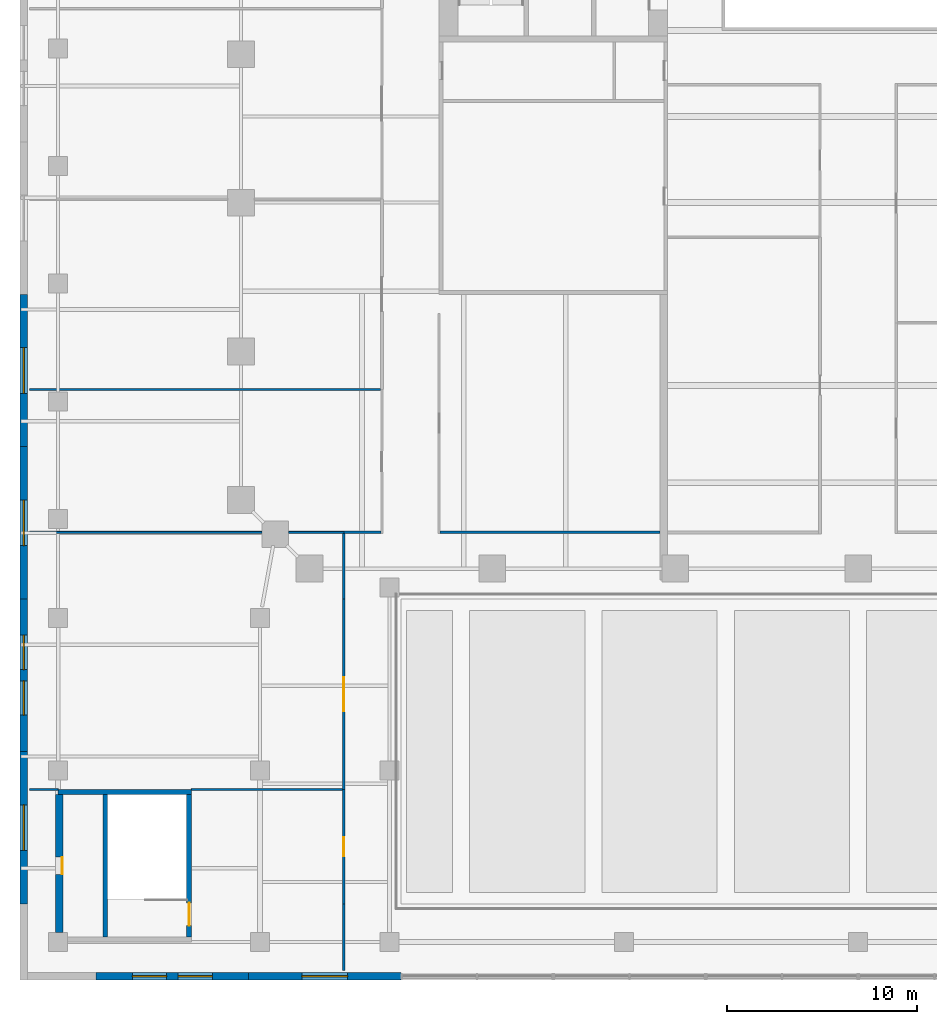
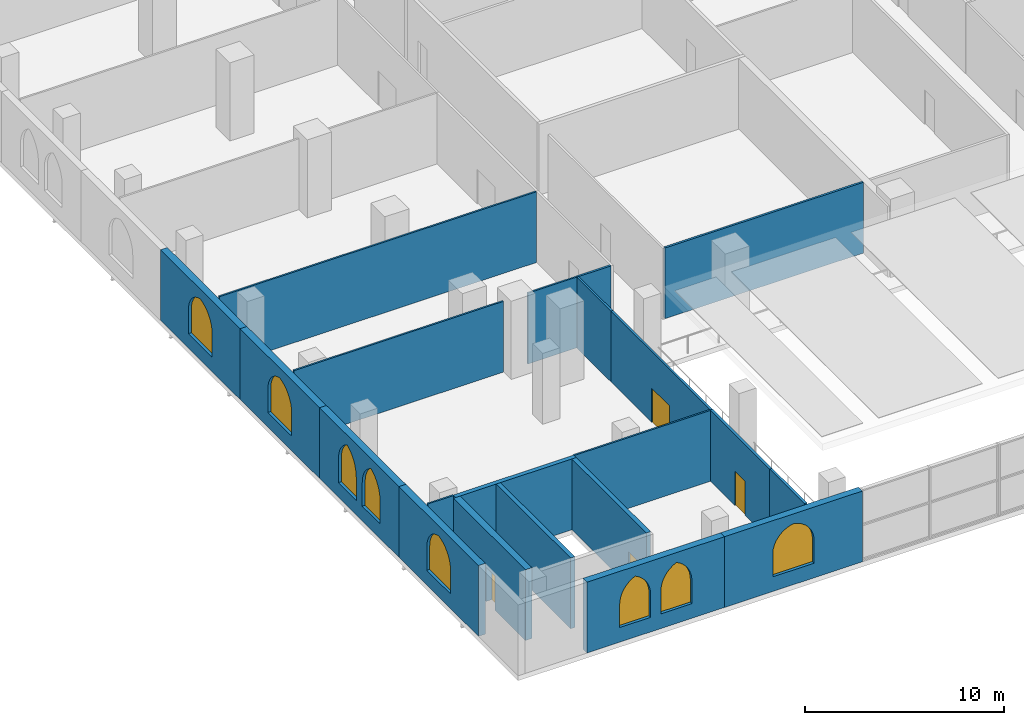
# One storey, part 8 of 18: 21 walls, 8 windows, 4 doors, 12 openings.
"""IFC4 building model written with IfcOpenShell, lengths in metres."""

from ifc_helpers import new_model, si_unit, direction, frame, frame_2d, origin, place, context, subcontext, project, spatial, polyline, rectangle, outline, extrude, material, layer, layer_set, type_object, element, fill, save


model = new_model("IFC4")

# Units and contexts
model_context = context("Model", 3, precision=1e-05, world=origin(), true_north=direction((0.0, 1.0)))
body_context = subcontext(model_context, "Body", "Model", "MODEL_VIEW")
ifc_project = project(units=[si_unit("LENGTHUNIT", "METRE"), si_unit("AREAUNIT", "SQUARE_METRE"), si_unit("VOLUMEUNIT", "CUBIC_METRE"), si_unit("PLANEANGLEUNIT", "RADIAN"), si_unit("MASSUNIT", "GRAM", prefix="KILO")], contexts=[model_context])

# Site, building, storey
site_placement = place(None, origin())
site = spatial("IfcSite", under=ifc_project, at=site_placement, CompositionType="ELEMENT")
building_placement = place(site_placement, origin())
building = spatial("IfcBuilding", under=site, at=building_placement, Name="Ogive Exchange Tower", CompositionType="ELEMENT")
storey_placement = place(building_placement, frame((0.0, 0.0, 28.800048828125)))
storey = spatial("IfcBuildingStorey", under=building, at=storey_placement, Name="L05", CompositionType="ELEMENT", Elevation=28.800048828125)

# Wall
ifc_material_1 = material(Name="Fire partition EI 60 150")
ifc_layer_1 = layer(ifc_material_1, 0.14990234375)
ifc_layer_set_1 = layer_set([ifc_layer_1], Name="Fire partition EI 60 150")
wall_type_1 = type_object("IfcWallType", Name="Fire partition EI 60 150", PredefinedType="PARTITIONING", material=ifc_layer_set_1)
wall_1_placement = place(storey_placement, frame((-27.0, -51.5, 0.0), z_axis=(0.0, 0.0, 1.0), x_axis=(0.0, 1.0, 0.0)))
element("IfcWall", 1, at=wall_1_placement, inside=storey, type_object=wall_type_1, Name="L05-PWL-041", PredefinedType="PARTITIONING", context=body_context, shape_type="SweptSolid", body=[
    extrude(rectangle(XDim=3.5, YDim=0.14990234375, at=frame_2d((1.75, 0.0))), origin(), (0.0, 0.0, 1.0), 4.349853515625),
])

# Wall, opening, door
wall_2_placement = place(storey_placement, frame((-27.0, -48.0, 0.0), z_axis=(0.0, 0.0, 1.0), x_axis=(0.0, 1.0, 0.0)))
wall_2 = element("IfcWall", 2, at=wall_2_placement, inside=storey, type_object=wall_type_1, Name="L05-PWL-042", PredefinedType="PARTITIONING", context=body_context, shape_type="SweptSolid", body=[
    extrude(rectangle(XDim=6.0, YDim=0.14990234375, at=frame_2d((3.0, 0.0))), origin(), (0.0, 0.0, 1.0), 4.349853515625),
])
opening_1_placement = place(wall_2_placement, frame((2.5, 0.0, 0.0)))
opening_1 = element("IfcOpeningElement", 3, at=opening_1_placement, cuts=wall_2, Name="Opening L05-I14", PredefinedType="OPENING", context=body_context, shape_type="SweptSolid", body=[
    extrude(rectangle(XDim=1.0, YDim=2.10009765625, at=frame_2d((0.5, 1.050048828125))), frame((0.0, 0.0849609375, 0.0), z_axis=(0.0, -1.0, 0.0), x_axis=(1.0, 0.0, 0.0)), (0.0, 0.0, 1.0), 0.169921875),
])
ifc_material_2 = material(Name="Fire door FD 30S 1000 x 2100")
door_type_1 = type_object("IfcDoorType", Name="Fire door FD 30S 1000 x 2100", OperationType="NOTDEFINED", PredefinedType="DOOR", material=ifc_material_2)
door_1_placement = place(opening_1_placement, origin())
door_1 = element("IfcDoor", 4, at=door_1_placement, inside=storey, type_object=door_type_1, Name="L05-IDR-014", ObjectType="DT3", OperationType="SINGLE_SWING_LEFT", OverallHeight=2.10009765625, OverallWidth=1.0, PredefinedType="DOOR", context=body_context, shape_type="SweptSolid", body=[
    extrude(rectangle(XDim=1.0, YDim=2.10009765625, at=frame_2d((0.5, 1.050048828125))), frame((0.0, 0.02490234375, 0.0), z_axis=(0.0, -1.0, 0.0), x_axis=(1.0, 0.0, 0.0)), (0.0, 0.0, 1.0), 0.050048828125),
])
fill(opening_1, door_1)

# Walls
ifc_material_3 = material(Name="Glazed fire partition EI 60 120")
ifc_layer_2 = layer(ifc_material_3, 0.1201171875)
ifc_layer_set_2 = layer_set([ifc_layer_2], Name="Glazed fire partition EI 60 120")
wall_type_2 = type_object("IfcWallType", Name="Glazed fire partition EI 60 120", PredefinedType="PARTITIONING", material=ifc_layer_set_2)
wall_3_placement = place(storey_placement, frame((-27.0, -28.5, 0.0), z_axis=(0.0, 0.0, 1.0), x_axis=(1.0, 0.0, 0.0)))
element("IfcWall", 5, at=wall_3_placement, inside=storey, type_object=wall_type_2, Name="L05-PWL-007", PredefinedType="PARTITIONING", context=body_context, shape_type="SweptSolid", body=[
    extrude(rectangle(XDim=1.93994140625, YDim=0.1201171875, at=frame_2d((0.969970703125, 0.0))), origin(), (0.0, 0.0, 1.0), 4.349853515625),
])
wall_4_placement = place(storey_placement, frame((-21.93994140625, -28.5, 0.0), z_axis=(0.0, 0.0, 1.0), x_axis=(1.0, 0.0, 0.0)))
element("IfcWall", 6, at=wall_4_placement, inside=storey, type_object=wall_type_2, Name="L05-PWL-008", PredefinedType="PARTITIONING", context=body_context, shape_type="SweptSolid", body=[
    extrude(rectangle(XDim=11.5400390625, YDim=0.1201171875, at=frame_2d((5.77001953125, 0.0))), origin(), (0.0, 0.0, 1.0), 4.349853515625),
])

# Wall, opening, door
wall_5_placement = place(storey_placement, frame((-27.0, -42.0, 0.0), z_axis=(0.0, 0.0, 1.0), x_axis=(0.0, 1.0, 0.0)))
wall_5 = element("IfcWall", 7, at=wall_5_placement, inside=storey, type_object=wall_type_2, Name="L05-PWL-043", PredefinedType="PARTITIONING", context=body_context, shape_type="SweptSolid", body=[
    extrude(rectangle(XDim=10.0, YDim=0.1201171875, at=frame_2d((5.0, 0.0))), origin(), (0.0, 0.0, 1.0), 4.349853515625),
])
opening_2_placement = place(wall_5_placement, frame((4.10009765625, 0.0, 0.0)))
opening_2 = element("IfcOpeningElement", 8, at=opening_2_placement, cuts=wall_5, Name="Opening L05-I15", PredefinedType="OPENING", context=body_context, shape_type="SweptSolid", body=[
    extrude(rectangle(XDim=1.800048828125, YDim=2.10009765625, at=frame_2d((0.89990234375, 1.050048828125))), frame((0.0, 0.070068359375, 0.0), z_axis=(0.0, -1.0, 0.0), x_axis=(1.0, 0.0, 0.0)), (0.0, 0.0, 1.0), 0.14013671875),
])
ifc_material_4 = material(Name="Fire door FD 30S 1800 x 2100")
door_type_2 = type_object("IfcDoorType", Name="Fire door FD 30S 1800 x 2100", OperationType="DOUBLE_DOOR_SINGLE_SWING", PredefinedType="DOOR", material=ifc_material_4)
door_2_placement = place(opening_2_placement, origin())
door_2 = element("IfcDoor", 9, at=door_2_placement, inside=storey, type_object=door_type_2, Name="L05-IDR-015", ObjectType="DT4", OperationType="SINGLE_SWING_LEFT", OverallHeight=2.10009765625, OverallWidth=1.800048828125, PredefinedType="DOOR", context=body_context, shape_type="SweptSolid", body=[
    extrude(rectangle(XDim=1.800048828125, YDim=2.10009765625, at=frame_2d((0.89990234375, 1.050048828125))), frame((0.0, 0.02490234375, 0.0), z_axis=(0.0, -1.0, 0.0), x_axis=(1.0, 0.0, 0.0)), (0.0, 0.0, 1.0), 0.050048828125),
])
fill(opening_2, door_2)

# Wall
wall_6_placement = place(storey_placement, frame((-27.0, -32.0, 0.0), z_axis=(0.0, 0.0, 1.0), x_axis=(0.0, 1.0, 0.0)))
element("IfcWall", 10, at=wall_6_placement, inside=storey, type_object=wall_type_2, Name="L05-PWL-044", PredefinedType="PARTITIONING", context=body_context, shape_type="SweptSolid", body=[
    extrude(rectangle(XDim=3.43994140625, YDim=0.1201171875, at=frame_2d((1.719970703125, 0.0))), origin(), (0.0, 0.0, 1.0), 4.349853515625),
])

# Wall, openings, windows
ifc_material_5 = material(Name="Precast concrete C40/50", Category="concrete")
ifc_layer_3 = layer(ifc_material_5, 0.39990234375)
ifc_layer_set_3 = layer_set([ifc_layer_3], Name="Limestone-faced wall 400")
wall_type_3 = type_object("IfcWallType", Name="Limestone-faced wall 400", PredefinedType="STANDARD", material=ifc_layer_set_3)
wall_7_placement = place(storey_placement, frame((-40.0, -51.800048828125, 0.0), z_axis=(0.0, 0.0, 1.0), x_axis=(1.0, 0.0, 0.0)))
wall_7 = element("IfcWall", 11, at=wall_7_placement, inside=storey, type_object=wall_type_3, Name="Podium wall S2", PredefinedType="STANDARD", context=body_context, shape_type="SweptSolid", body=[
    extrude(rectangle(XDim=8.0, YDim=0.39990234375, at=frame_2d((4.0, 0.0))), origin(), (0.0, 0.0, 1.0), 4.349853515625),
])
opening_3_placement = place(wall_7_placement, frame((1.89990234375, 0.0, 0.89990234375)))
opening_3 = element("IfcOpeningElement", 12, at=opening_3_placement, cuts=wall_7, Name="Opening WQ285", PredefinedType="OPENING", context=body_context, shape_type="SweptSolid", body=[
    extrude(outline(polyline([(0.0, 0.0), (1.800048828125, 0.0), (1.800048828125, 1.425048828125), (1.784423828125, 1.646484375), (1.73779296875, 1.86376953125), (1.661376953125, 2.072265625), (1.55615234375, 2.267822265625), (1.4248046875, 2.44677734375), (1.269287109375, 2.60546875), (1.09326171875, 2.74072265625), (0.89990234375, 2.85009765625), (0.706787109375, 2.74072265625), (0.53076171875, 2.60546875), (0.375244140625, 2.44677734375), (0.243896484375, 2.267822265625), (0.138671875, 2.072265625), (0.062255859375, 1.86376953125), (0.015625, 1.646484375), (0.0, 1.425048828125), (0.0, 0.0)])), frame((0.0, 0.2099609375, 0.0), z_axis=(0.0, -1.0, 0.0), x_axis=(1.0, 0.0, 0.0)), (0.0, 0.0, 1.0), 0.419921875),
])
opening_4_placement = place(wall_7_placement, frame((4.300048828125, 0.0, 0.89990234375)))
opening_4 = element("IfcOpeningElement", 13, at=opening_4_placement, cuts=wall_7, Name="Opening WQ285", PredefinedType="OPENING", context=body_context, shape_type="SweptSolid", body=[
    extrude(outline(polyline([(0.0, 0.0), (1.800048828125, 0.0), (1.800048828125, 1.425048828125), (1.784423828125, 1.646484375), (1.73779296875, 1.86376953125), (1.661376953125, 2.072265625), (1.55615234375, 2.267822265625), (1.4248046875, 2.44677734375), (1.269287109375, 2.60546875), (1.09326171875, 2.74072265625), (0.89990234375, 2.85009765625), (0.706787109375, 2.74072265625), (0.53076171875, 2.60546875), (0.375244140625, 2.44677734375), (0.243896484375, 2.267822265625), (0.138671875, 2.072265625), (0.062255859375, 1.86376953125), (0.015625, 1.646484375), (0.0, 1.425048828125), (0.0, 0.0)])), frame((0.0, 0.2099609375, 0.0), z_axis=(0.0, -1.0, 0.0), x_axis=(1.0, 0.0, 0.0)), (0.0, 0.0, 1.0), 0.419921875),
])
ifc_material_6 = material(Name="Clear glass in bronze frame", Category="glass")
window_type_1 = type_object("IfcWindowType", Name="Podium paired lancet 1800 x 2850", PartitioningType="DOUBLE_PANEL_VERTICAL", PredefinedType="WINDOW", material=ifc_material_6)
window_1_placement = place(opening_3_placement, origin())
window_1 = element("IfcWindow", 14, at=window_1_placement, inside=storey, type_object=window_type_1, Name="Podium paired lancet S2.1", OverallHeight=2.85009765625, OverallWidth=1.800048828125, PartitioningType="DOUBLE_PANEL_VERTICAL", PredefinedType="WINDOW", context=body_context, shape_type="SweptSolid", body=[
    extrude(outline(polyline([(0.0, 0.0), (1.800048828125, 0.0), (1.800048828125, 1.425048828125), (1.784423828125, 1.646484375), (1.73779296875, 1.86376953125), (1.661376953125, 2.072265625), (1.55615234375, 2.267822265625), (1.4248046875, 2.44677734375), (1.269287109375, 2.60546875), (1.09326171875, 2.74072265625), (0.89990234375, 2.85009765625), (0.706787109375, 2.74072265625), (0.53076171875, 2.60546875), (0.375244140625, 2.44677734375), (0.243896484375, 2.267822265625), (0.138671875, 2.072265625), (0.062255859375, 1.86376953125), (0.015625, 1.646484375), (0.0, 1.425048828125), (0.0, 0.0)])), frame((0.0, 0.030029296875, 0.0), z_axis=(0.0, -1.0, 0.0), x_axis=(1.0, 0.0, 0.0)), (0.0, 0.0, 1.0), 0.06005859375),
])
fill(opening_3, window_1)
window_2_placement = place(opening_4_placement, origin())
window_2 = element("IfcWindow", 15, at=window_2_placement, inside=storey, type_object=window_type_1, Name="Podium paired lancet S2.2", OverallHeight=2.85009765625, OverallWidth=1.800048828125, PartitioningType="DOUBLE_PANEL_VERTICAL", PredefinedType="WINDOW", context=body_context, shape_type="SweptSolid", body=[
    extrude(outline(polyline([(0.0, 0.0), (1.800048828125, 0.0), (1.800048828125, 1.425048828125), (1.784423828125, 1.646484375), (1.73779296875, 1.86376953125), (1.661376953125, 2.072265625), (1.55615234375, 2.267822265625), (1.4248046875, 2.44677734375), (1.269287109375, 2.60546875), (1.09326171875, 2.74072265625), (0.89990234375, 2.85009765625), (0.706787109375, 2.74072265625), (0.53076171875, 2.60546875), (0.375244140625, 2.44677734375), (0.243896484375, 2.267822265625), (0.138671875, 2.072265625), (0.062255859375, 1.86376953125), (0.015625, 1.646484375), (0.0, 1.425048828125), (0.0, 0.0)])), frame((0.0, 0.030029296875, 0.0), z_axis=(0.0, -1.0, 0.0), x_axis=(1.0, 0.0, 0.0)), (0.0, 0.0, 1.0), 0.06005859375),
])
fill(opening_4, window_2)

# Wall, opening, window
wall_8_placement = place(storey_placement, frame((-32.0, -51.800048828125, 0.0), z_axis=(0.0, 0.0, 1.0), x_axis=(1.0, 0.0, 0.0)))
wall_8 = element("IfcWall", 16, at=wall_8_placement, inside=storey, type_object=wall_type_3, Name="Podium wall S3", PredefinedType="STANDARD", context=body_context, shape_type="SweptSolid", body=[
    extrude(rectangle(XDim=8.0, YDim=0.39990234375, at=frame_2d((4.0, 0.0))), origin(), (0.0, 0.0, 1.0), 4.349853515625),
])
opening_5_placement = place(wall_8_placement, frame((2.800048828125, 0.0, 0.89990234375)))
opening_5 = element("IfcOpeningElement", 17, at=opening_5_placement, cuts=wall_8, Name="Opening WP285", PredefinedType="OPENING", context=body_context, shape_type="SweptSolid", body=[
    extrude(outline(polyline([(0.0, 0.0), (2.39990234375, 0.0), (2.39990234375, 1.425048828125), (2.3779296875, 1.6767578125), (2.312255859375, 1.9208984375), (2.205322265625, 2.149658203125), (2.06005859375, 2.3564453125), (1.880859375, 2.534912109375), (1.673583984375, 2.679443359375), (1.4443359375, 2.785400390625), (1.199951171875, 2.85009765625), (0.95556640625, 2.785400390625), (0.726318359375, 2.679443359375), (0.51904296875, 2.534912109375), (0.33984375, 2.3564453125), (0.194580078125, 2.149658203125), (0.087646484375, 1.9208984375), (0.02197265625, 1.6767578125), (0.0, 1.425048828125), (0.0, 0.0)])), frame((0.0, 0.2099609375, 0.0), z_axis=(0.0, -1.0, 0.0), x_axis=(1.0, 0.0, 0.0)), (0.0, 0.0, 1.0), 0.419921875),
])
window_type_2 = type_object("IfcWindowType", Name="Podium lancet window 2400 x 2850", PartitioningType="DOUBLE_PANEL_VERTICAL", PredefinedType="WINDOW", material=ifc_material_6)
window_3_placement = place(opening_5_placement, origin())
window_3 = element("IfcWindow", 18, at=window_3_placement, inside=storey, type_object=window_type_2, Name="Podium window S3", OverallHeight=2.85009765625, OverallWidth=2.39990234375, PartitioningType="DOUBLE_PANEL_VERTICAL", PredefinedType="WINDOW", context=body_context, shape_type="SweptSolid", body=[
    extrude(outline(polyline([(0.0, 0.0), (2.39990234375, 0.0), (2.39990234375, 1.425048828125), (2.3779296875, 1.6767578125), (2.312255859375, 1.9208984375), (2.205322265625, 2.149658203125), (2.06005859375, 2.3564453125), (1.880859375, 2.534912109375), (1.673583984375, 2.679443359375), (1.4443359375, 2.785400390625), (1.199951171875, 2.85009765625), (0.95556640625, 2.785400390625), (0.726318359375, 2.679443359375), (0.51904296875, 2.534912109375), (0.33984375, 2.3564453125), (0.194580078125, 2.149658203125), (0.087646484375, 1.9208984375), (0.02197265625, 1.6767578125), (0.0, 1.425048828125), (0.0, 0.0)])), frame((0.0, 0.030029296875, 0.0), z_axis=(0.0, -1.0, 0.0), x_axis=(1.0, 0.0, 0.0)), (0.0, 0.0, 1.0), 0.06005859375),
])
fill(opening_5, window_3)

wall_9_placement = place(storey_placement, frame((-43.800048828125, -16.0, 0.0), z_axis=(0.0, 0.0, 1.0), x_axis=(0.0, -1.0, 0.0)))
wall_9 = element("IfcWall", 19, at=wall_9_placement, inside=storey, type_object=wall_type_3, Name="Podium wall W8", PredefinedType="STANDARD", context=body_context, shape_type="SweptSolid", body=[
    extrude(rectangle(XDim=8.0, YDim=0.39990234375, at=frame_2d((4.0, 0.0))), origin(), (0.0, 0.0, 1.0), 4.349853515625),
])
opening_6_placement = place(wall_9_placement, frame((2.800048828125, 0.0, 0.89990234375)))
opening_6 = element("IfcOpeningElement", 20, at=opening_6_placement, cuts=wall_9, Name="Opening WP285", PredefinedType="OPENING", context=body_context, shape_type="SweptSolid", body=[
    extrude(outline(polyline([(0.0, 0.0), (2.39990234375, 0.0), (2.39990234375, 1.425048828125), (2.3779296875, 1.6767578125), (2.312255859375, 1.9208984375), (2.205322265625, 2.149658203125), (2.06005859375, 2.3564453125), (1.880859375, 2.534912109375), (1.673583984375, 2.679443359375), (1.4443359375, 2.785400390625), (1.199951171875, 2.85009765625), (0.95556640625, 2.785400390625), (0.726318359375, 2.679443359375), (0.51904296875, 2.534912109375), (0.33984375, 2.3564453125), (0.194580078125, 2.149658203125), (0.087646484375, 1.9208984375), (0.02197265625, 1.6767578125), (0.0, 1.425048828125), (0.0, 0.0)])), frame((0.0, 0.2099609375, 0.0), z_axis=(0.0, -1.0, 0.0), x_axis=(1.0, 0.0, 0.0)), (0.0, 0.0, 1.0), 0.419921875),
])
window_4_placement = place(opening_6_placement, origin())
window_4 = element("IfcWindow", 21, at=window_4_placement, inside=storey, type_object=window_type_2, Name="Podium window W8", OverallHeight=2.85009765625, OverallWidth=2.39990234375, PartitioningType="DOUBLE_PANEL_VERTICAL", PredefinedType="WINDOW", context=body_context, shape_type="SweptSolid", body=[
    extrude(outline(polyline([(0.0, 0.0), (2.39990234375, 0.0), (2.39990234375, 1.425048828125), (2.3779296875, 1.6767578125), (2.312255859375, 1.9208984375), (2.205322265625, 2.149658203125), (2.06005859375, 2.3564453125), (1.880859375, 2.534912109375), (1.673583984375, 2.679443359375), (1.4443359375, 2.785400390625), (1.199951171875, 2.85009765625), (0.95556640625, 2.785400390625), (0.726318359375, 2.679443359375), (0.51904296875, 2.534912109375), (0.33984375, 2.3564453125), (0.194580078125, 2.149658203125), (0.087646484375, 1.9208984375), (0.02197265625, 1.6767578125), (0.0, 1.425048828125), (0.0, 0.0)])), frame((0.0, 0.030029296875, 0.0), z_axis=(0.0, -1.0, 0.0), x_axis=(1.0, 0.0, 0.0)), (0.0, 0.0, 1.0), 0.06005859375),
])
fill(opening_6, window_4)

wall_10_placement = place(storey_placement, frame((-43.800048828125, -24.0, 0.0), z_axis=(0.0, 0.0, 1.0), x_axis=(0.0, -1.0, 0.0)))
wall_10 = element("IfcWall", 22, at=wall_10_placement, inside=storey, type_object=wall_type_3, Name="Podium wall W9", PredefinedType="STANDARD", context=body_context, shape_type="SweptSolid", body=[
    extrude(rectangle(XDim=8.0, YDim=0.39990234375, at=frame_2d((4.0, 0.0))), origin(), (0.0, 0.0, 1.0), 4.349853515625),
])
opening_7_placement = place(wall_10_placement, frame((2.800048828125, 0.0, 0.89990234375)))
opening_7 = element("IfcOpeningElement", 23, at=opening_7_placement, cuts=wall_10, Name="Opening WP285", PredefinedType="OPENING", context=body_context, shape_type="SweptSolid", body=[
    extrude(outline(polyline([(0.0, 0.0), (2.39990234375, 0.0), (2.39990234375, 1.425048828125), (2.3779296875, 1.6767578125), (2.312255859375, 1.9208984375), (2.205322265625, 2.149658203125), (2.06005859375, 2.3564453125), (1.880859375, 2.534912109375), (1.673583984375, 2.679443359375), (1.4443359375, 2.785400390625), (1.199951171875, 2.85009765625), (0.95556640625, 2.785400390625), (0.726318359375, 2.679443359375), (0.51904296875, 2.534912109375), (0.33984375, 2.3564453125), (0.194580078125, 2.149658203125), (0.087646484375, 1.9208984375), (0.02197265625, 1.6767578125), (0.0, 1.425048828125), (0.0, 0.0)])), frame((0.0, 0.2099609375, 0.0), z_axis=(0.0, -1.0, 0.0), x_axis=(1.0, 0.0, 0.0)), (0.0, 0.0, 1.0), 0.419921875),
])
window_5_placement = place(opening_7_placement, origin())
window_5 = element("IfcWindow", 24, at=window_5_placement, inside=storey, type_object=window_type_2, Name="Podium window W9", OverallHeight=2.85009765625, OverallWidth=2.39990234375, PartitioningType="DOUBLE_PANEL_VERTICAL", PredefinedType="WINDOW", context=body_context, shape_type="SweptSolid", body=[
    extrude(outline(polyline([(0.0, 0.0), (2.39990234375, 0.0), (2.39990234375, 1.425048828125), (2.3779296875, 1.6767578125), (2.312255859375, 1.9208984375), (2.205322265625, 2.149658203125), (2.06005859375, 2.3564453125), (1.880859375, 2.534912109375), (1.673583984375, 2.679443359375), (1.4443359375, 2.785400390625), (1.199951171875, 2.85009765625), (0.95556640625, 2.785400390625), (0.726318359375, 2.679443359375), (0.51904296875, 2.534912109375), (0.33984375, 2.3564453125), (0.194580078125, 2.149658203125), (0.087646484375, 1.9208984375), (0.02197265625, 1.6767578125), (0.0, 1.425048828125), (0.0, 0.0)])), frame((0.0, 0.030029296875, 0.0), z_axis=(0.0, -1.0, 0.0), x_axis=(1.0, 0.0, 0.0)), (0.0, 0.0, 1.0), 0.06005859375),
])
fill(opening_7, window_5)

# Wall, openings, windows
wall_11_placement = place(storey_placement, frame((-43.800048828125, -32.0, 0.0), z_axis=(0.0, 0.0, 1.0), x_axis=(0.0, -1.0, 0.0)))
wall_11 = element("IfcWall", 25, at=wall_11_placement, inside=storey, type_object=wall_type_3, Name="Podium wall W10", PredefinedType="STANDARD", context=body_context, shape_type="SweptSolid", body=[
    extrude(rectangle(XDim=8.0, YDim=0.39990234375, at=frame_2d((4.0, 0.0))), origin(), (0.0, 0.0, 1.0), 4.349853515625),
])
opening_8_placement = place(wall_11_placement, frame((1.89990234375, 0.0, 0.89990234375)))
opening_8 = element("IfcOpeningElement", 26, at=opening_8_placement, cuts=wall_11, Name="Opening WQ285", PredefinedType="OPENING", context=body_context, shape_type="SweptSolid", body=[
    extrude(outline(polyline([(0.0, 0.0), (1.800048828125, 0.0), (1.800048828125, 1.425048828125), (1.784423828125, 1.646484375), (1.73779296875, 1.86376953125), (1.661376953125, 2.072265625), (1.55615234375, 2.267822265625), (1.4248046875, 2.44677734375), (1.269287109375, 2.60546875), (1.09326171875, 2.74072265625), (0.89990234375, 2.85009765625), (0.706787109375, 2.74072265625), (0.53076171875, 2.60546875), (0.375244140625, 2.44677734375), (0.243896484375, 2.267822265625), (0.138671875, 2.072265625), (0.062255859375, 1.86376953125), (0.015625, 1.646484375), (0.0, 1.425048828125), (0.0, 0.0)])), frame((0.0, 0.2099609375, 0.0), z_axis=(0.0, -1.0, 0.0), x_axis=(1.0, 0.0, 0.0)), (0.0, 0.0, 1.0), 0.419921875),
])
opening_9_placement = place(wall_11_placement, frame((4.300048828125, 0.0, 0.89990234375)))
opening_9 = element("IfcOpeningElement", 27, at=opening_9_placement, cuts=wall_11, Name="Opening WQ285", PredefinedType="OPENING", context=body_context, shape_type="SweptSolid", body=[
    extrude(outline(polyline([(0.0, 0.0), (1.800048828125, 0.0), (1.800048828125, 1.425048828125), (1.784423828125, 1.646484375), (1.73779296875, 1.86376953125), (1.661376953125, 2.072265625), (1.55615234375, 2.267822265625), (1.4248046875, 2.44677734375), (1.269287109375, 2.60546875), (1.09326171875, 2.74072265625), (0.89990234375, 2.85009765625), (0.706787109375, 2.74072265625), (0.53076171875, 2.60546875), (0.375244140625, 2.44677734375), (0.243896484375, 2.267822265625), (0.138671875, 2.072265625), (0.062255859375, 1.86376953125), (0.015625, 1.646484375), (0.0, 1.425048828125), (0.0, 0.0)])), frame((0.0, 0.2099609375, 0.0), z_axis=(0.0, -1.0, 0.0), x_axis=(1.0, 0.0, 0.0)), (0.0, 0.0, 1.0), 0.419921875),
])
window_6_placement = place(opening_8_placement, origin())
window_6 = element("IfcWindow", 28, at=window_6_placement, inside=storey, type_object=window_type_1, Name="Podium paired lancet W10.1", OverallHeight=2.85009765625, OverallWidth=1.800048828125, PartitioningType="DOUBLE_PANEL_VERTICAL", PredefinedType="WINDOW", context=body_context, shape_type="SweptSolid", body=[
    extrude(outline(polyline([(0.0, 0.0), (1.800048828125, 0.0), (1.800048828125, 1.425048828125), (1.784423828125, 1.646484375), (1.73779296875, 1.86376953125), (1.661376953125, 2.072265625), (1.55615234375, 2.267822265625), (1.4248046875, 2.44677734375), (1.269287109375, 2.60546875), (1.09326171875, 2.74072265625), (0.89990234375, 2.85009765625), (0.706787109375, 2.74072265625), (0.53076171875, 2.60546875), (0.375244140625, 2.44677734375), (0.243896484375, 2.267822265625), (0.138671875, 2.072265625), (0.062255859375, 1.86376953125), (0.015625, 1.646484375), (0.0, 1.425048828125), (0.0, 0.0)])), frame((0.0, 0.030029296875, 0.0), z_axis=(0.0, -1.0, 0.0), x_axis=(1.0, 0.0, 0.0)), (0.0, 0.0, 1.0), 0.06005859375),
])
fill(opening_8, window_6)
window_7_placement = place(opening_9_placement, origin())
window_7 = element("IfcWindow", 29, at=window_7_placement, inside=storey, type_object=window_type_1, Name="Podium paired lancet W10.2", OverallHeight=2.85009765625, OverallWidth=1.800048828125, PartitioningType="DOUBLE_PANEL_VERTICAL", PredefinedType="WINDOW", context=body_context, shape_type="SweptSolid", body=[
    extrude(outline(polyline([(0.0, 0.0), (1.800048828125, 0.0), (1.800048828125, 1.425048828125), (1.784423828125, 1.646484375), (1.73779296875, 1.86376953125), (1.661376953125, 2.072265625), (1.55615234375, 2.267822265625), (1.4248046875, 2.44677734375), (1.269287109375, 2.60546875), (1.09326171875, 2.74072265625), (0.89990234375, 2.85009765625), (0.706787109375, 2.74072265625), (0.53076171875, 2.60546875), (0.375244140625, 2.44677734375), (0.243896484375, 2.267822265625), (0.138671875, 2.072265625), (0.062255859375, 1.86376953125), (0.015625, 1.646484375), (0.0, 1.425048828125), (0.0, 0.0)])), frame((0.0, 0.030029296875, 0.0), z_axis=(0.0, -1.0, 0.0), x_axis=(1.0, 0.0, 0.0)), (0.0, 0.0, 1.0), 0.06005859375),
])
fill(opening_9, window_7)

# Wall, opening, window
wall_12_placement = place(storey_placement, frame((-43.800048828125, -40.0, 0.0), z_axis=(0.0, 0.0, 1.0), x_axis=(0.0, -1.0, 0.0)))
wall_12 = element("IfcWall", 30, at=wall_12_placement, inside=storey, type_object=wall_type_3, Name="Podium wall W11", PredefinedType="STANDARD", context=body_context, shape_type="SweptSolid", body=[
    extrude(rectangle(XDim=8.0, YDim=0.39990234375, at=frame_2d((4.0, 0.0))), origin(), (0.0, 0.0, 1.0), 4.349853515625),
])
opening_10_placement = place(wall_12_placement, frame((2.800048828125, 0.0, 0.89990234375)))
opening_10 = element("IfcOpeningElement", 31, at=opening_10_placement, cuts=wall_12, Name="Opening WP285", PredefinedType="OPENING", context=body_context, shape_type="SweptSolid", body=[
    extrude(outline(polyline([(0.0, 0.0), (2.39990234375, 0.0), (2.39990234375, 1.425048828125), (2.3779296875, 1.6767578125), (2.312255859375, 1.9208984375), (2.205322265625, 2.149658203125), (2.06005859375, 2.3564453125), (1.880859375, 2.534912109375), (1.673583984375, 2.679443359375), (1.4443359375, 2.785400390625), (1.199951171875, 2.85009765625), (0.95556640625, 2.785400390625), (0.726318359375, 2.679443359375), (0.51904296875, 2.534912109375), (0.33984375, 2.3564453125), (0.194580078125, 2.149658203125), (0.087646484375, 1.9208984375), (0.02197265625, 1.6767578125), (0.0, 1.425048828125), (0.0, 0.0)])), frame((0.0, 0.2099609375, 0.0), z_axis=(0.0, -1.0, 0.0), x_axis=(1.0, 0.0, 0.0)), (0.0, 0.0, 1.0), 0.419921875),
])
window_8_placement = place(opening_10_placement, origin())
window_8 = element("IfcWindow", 32, at=window_8_placement, inside=storey, type_object=window_type_2, Name="Podium window W11", OverallHeight=2.85009765625, OverallWidth=2.39990234375, PartitioningType="DOUBLE_PANEL_VERTICAL", PredefinedType="WINDOW", context=body_context, shape_type="SweptSolid", body=[
    extrude(outline(polyline([(0.0, 0.0), (2.39990234375, 0.0), (2.39990234375, 1.425048828125), (2.3779296875, 1.6767578125), (2.312255859375, 1.9208984375), (2.205322265625, 2.149658203125), (2.06005859375, 2.3564453125), (1.880859375, 2.534912109375), (1.673583984375, 2.679443359375), (1.4443359375, 2.785400390625), (1.199951171875, 2.85009765625), (0.95556640625, 2.785400390625), (0.726318359375, 2.679443359375), (0.51904296875, 2.534912109375), (0.33984375, 2.3564453125), (0.194580078125, 2.149658203125), (0.087646484375, 1.9208984375), (0.02197265625, 1.6767578125), (0.0, 1.425048828125), (0.0, 0.0)])), frame((0.0, 0.030029296875, 0.0), z_axis=(0.0, -1.0, 0.0), x_axis=(1.0, 0.0, 0.0)), (0.0, 0.0, 1.0), 0.06005859375),
])
fill(opening_10, window_8)

# Walls
ifc_material_7 = material(Name="Partition 100 gypsum")
ifc_layer_4 = layer(ifc_material_7, 0.10009765625)
ifc_layer_set_4 = layer_set([ifc_layer_4], Name="Partition 100 gypsum")
wall_type_4 = type_object("IfcWallType", Name="Partition 100 gypsum", PredefinedType="PARTITIONING", material=ifc_layer_set_4)
wall_13_placement = place(storey_placement, frame((-43.5, -42.0, 0.0), z_axis=(0.0, 0.0, 1.0), x_axis=(1.0, 0.0, 0.0)))
element("IfcWall", 33, at=wall_13_placement, inside=storey, type_object=wall_type_4, Name="L05-PWL-001", PredefinedType="PARTITIONING", context=body_context, shape_type="SweptSolid", body=[
    extrude(rectangle(XDim=1.5, YDim=0.10009765625, at=frame_2d((0.75, 0.0))), origin(), (0.0, 0.0, 1.0), 4.349853515625),
])
wall_14_placement = place(storey_placement, frame((-35.0, -42.0, 0.0), z_axis=(0.0, 0.0, 1.0), x_axis=(1.0, 0.0, 0.0)))
element("IfcWall", 34, at=wall_14_placement, inside=storey, type_object=wall_type_4, Name="L05-PWL-002", PredefinedType="PARTITIONING", context=body_context, shape_type="SweptSolid", body=[
    extrude(rectangle(XDim=7.925048828125, YDim=0.10009765625, at=frame_2d((3.96240234375, 0.0))), origin(), (0.0, 0.0, 1.0), 4.349853515625),
])
wall_15_placement = place(storey_placement, frame((-43.5, -28.5, 0.0), z_axis=(0.0, 0.0, 1.0), x_axis=(1.0, 0.0, 0.0)))
element("IfcWall", 35, at=wall_15_placement, inside=storey, type_object=wall_type_4, Name="L05-PWL-005", PredefinedType="PARTITIONING", context=body_context, shape_type="SweptSolid", body=[
    extrude(rectangle(XDim=12.199951171875, YDim=0.10009765625, at=frame_2d((6.10009765625, 0.0))), origin(), (0.0, 0.0, 1.0), 4.349853515625),
])
wall_16_placement = place(storey_placement, frame((-29.89990234375, -28.5, 0.0), z_axis=(0.0, 0.0, 1.0), x_axis=(1.0, 0.0, 0.0)))
element("IfcWall", 36, at=wall_16_placement, inside=storey, type_object=wall_type_4, Name="L05-PWL-006", PredefinedType="PARTITIONING", context=body_context, shape_type="SweptSolid", body=[
    extrude(rectangle(XDim=2.89990234375, YDim=0.10009765625, at=frame_2d((1.449951171875, 0.0))), origin(), (0.0, 0.0, 1.0), 4.349853515625),
])
wall_17_placement = place(storey_placement, frame((-43.5, -21.0, 0.0), z_axis=(0.0, 0.0, 1.0), x_axis=(1.0, 0.0, 0.0)))
element("IfcWall", 37, at=wall_17_placement, inside=storey, type_object=wall_type_4, Name="L05-PWL-015", PredefinedType="PARTITIONING", context=body_context, shape_type="SweptSolid", body=[
    extrude(rectangle(XDim=18.425048828125, YDim=0.10009765625, at=frame_2d((9.21240234375, 0.0))), origin(), (0.0, 0.0, 1.0), 4.349853515625),
])
ifc_material_8 = material(Name="Concrete C70/85", Category="concrete")
ifc_layer_5 = layer(ifc_material_8, 0.25)
ifc_layer_set_5 = layer_set([ifc_layer_5], Name="RC core wall 250 C70/85")
wall_type_5 = type_object("IfcWallType", Name="RC core wall 250 C70/85", PredefinedType="SHEAR", material=ifc_layer_set_5)
wall_18_placement = place(storey_placement, frame((-42.0, -42.125, 0.0), z_axis=(0.0, 0.0, 1.0), x_axis=(1.0, 0.0, 0.0)))
element("IfcWall", 38, at=wall_18_placement, inside=storey, type_object=wall_type_5, Name="PS1 north wall", PredefinedType="SHEAR", context=body_context, shape_type="SweptSolid", body=[
    extrude(rectangle(XDim=7.0, YDim=0.25, at=frame_2d((3.5, 0.0))), origin(), (0.0, 0.0, 1.0), 4.349853515625),
])

# Wall, opening, door
wall_19_placement = place(storey_placement, frame((-35.125, -49.75, 0.0), z_axis=(0.0, 0.0, 1.0), x_axis=(0.0, 1.0, 0.0)))
wall_19 = element("IfcWall", 39, at=wall_19_placement, inside=storey, type_object=wall_type_5, Name="PS1 east wall", PredefinedType="SHEAR", context=body_context, shape_type="SweptSolid", body=[
    extrude(rectangle(XDim=7.5, YDim=0.25, at=frame_2d((3.75, 0.0))), origin(), (0.0, 0.0, 1.0), 4.349853515625),
])
opening_11_placement = place(wall_19_placement, frame((0.60009765625, 0.0, 0.0)))
opening_11 = element("IfcOpeningElement", 40, at=opening_11_placement, cuts=wall_19, Name="Opening L05-C45", PredefinedType="OPENING", context=body_context, shape_type="SweptSolid", body=[
    extrude(rectangle(XDim=1.199951171875, YDim=2.10009765625, at=frame_2d((0.60009765625, 1.050048828125))), frame((0.0, 0.135009765625, 0.0), z_axis=(0.0, -1.0, 0.0), x_axis=(1.0, 0.0, 0.0)), (0.0, 0.0, 1.0), 0.27001953125),
])
ifc_material_9 = material(Name="Steel fire door", Category="steel")
door_type_3 = type_object("IfcDoorType", Name="Stair door FD90 1200 x 2100", OperationType="NOTDEFINED", PredefinedType="DOOR", material=ifc_material_9)
door_3_placement = place(opening_11_placement, origin())
door_3 = element("IfcDoor", 41, at=door_3_placement, inside=storey, type_object=door_type_3, Name="Stair door", ObjectType="CD5", OperationType="SINGLE_SWING_RIGHT", OverallHeight=2.10009765625, OverallWidth=1.199951171875, PredefinedType="DOOR", context=body_context, shape_type="SweptSolid", body=[
    extrude(rectangle(XDim=1.199951171875, YDim=2.10009765625, at=frame_2d((0.60009765625, 1.050048828125))), frame((0.0, 0.02490234375, 0.0), z_axis=(0.0, -1.0, 0.0), x_axis=(1.0, 0.0, 0.0)), (0.0, 0.0, 1.0), 0.050048828125),
])
fill(opening_11, door_3)

# Wall
wall_20_placement = place(storey_placement, frame((-39.52490234375, -49.75, 0.0), z_axis=(0.0, 0.0, 1.0), x_axis=(0.0, 1.0, 0.0)))
element("IfcWall", 42, at=wall_20_placement, inside=storey, type_object=wall_type_5, Name="PS1 partition wall", PredefinedType="SHEAR", context=body_context, shape_type="SweptSolid", body=[
    extrude(rectangle(XDim=7.5, YDim=0.25, at=frame_2d((3.75, 0.0))), origin(), (0.0, 0.0, 1.0), 4.349853515625),
])

# Wall, opening, door
ifc_layer_6 = layer(ifc_material_8, 0.383544921875)
ifc_layer_set_6 = layer_set([ifc_layer_6], Name="RC core wall 384 C70/85")
wall_type_6 = type_object("IfcWallType", Name="RC core wall 384 C70/85", PredefinedType="SHEAR", material=ifc_layer_set_6)
wall_21_placement = place(storey_placement, frame((-41.941650390625, -49.5, 0.0), z_axis=(0.0, 0.0, 1.0), x_axis=(0.0, 1.0, 0.0)))
wall_21 = element("IfcWall", 43, at=wall_21_placement, inside=storey, type_object=wall_type_6, Name="PS1 west wall", PredefinedType="SHEAR", context=body_context, shape_type="SweptSolid", body=[
    extrude(rectangle(XDim=7.25, YDim=0.383544921875, at=frame_2d((3.625, 0.0))), origin(), (0.0, 0.0, 1.0), 4.349853515625),
])
opening_12_placement = place(wall_21_placement, frame((3.050048828125, 0.0, 0.0)))
opening_12 = element("IfcOpeningElement", 44, at=opening_12_placement, cuts=wall_21, Name="Opening L05-C46", PredefinedType="OPENING", context=body_context, shape_type="SweptSolid", body=[
    extrude(rectangle(XDim=0.89990234375, YDim=2.10009765625, at=frame_2d((0.449951171875, 1.050048828125))), frame((0.0, 0.20166015625, 0.0), z_axis=(0.0, -1.0, 0.0), x_axis=(1.0, 0.0, 0.0)), (0.0, 0.0, 1.0), 0.403564453125),
])
door_type_4 = type_object("IfcDoorType", Name="Riser door FD60 900 x 2100", OperationType="NOTDEFINED", PredefinedType="DOOR", material=ifc_material_9)
door_4_placement = place(opening_12_placement, origin())
door_4 = element("IfcDoor", 45, at=door_4_placement, inside=storey, type_object=door_type_4, Name="Riser door", ObjectType="CD2", OperationType="SINGLE_SWING_LEFT", OverallHeight=2.10009765625, OverallWidth=0.89990234375, PredefinedType="DOOR", context=body_context, shape_type="SweptSolid", body=[
    extrude(rectangle(XDim=0.89990234375, YDim=2.10009765625, at=frame_2d((0.449951171875, 1.050048828125))), frame((0.0, -0.1416015625, 0.0), z_axis=(0.0, -1.0, 0.0), x_axis=(1.0, 0.0, 0.0)), (0.0, 0.0, 1.0), 0.050048828125),
])
fill(opening_12, door_4)

save(model, "model.ifc")
